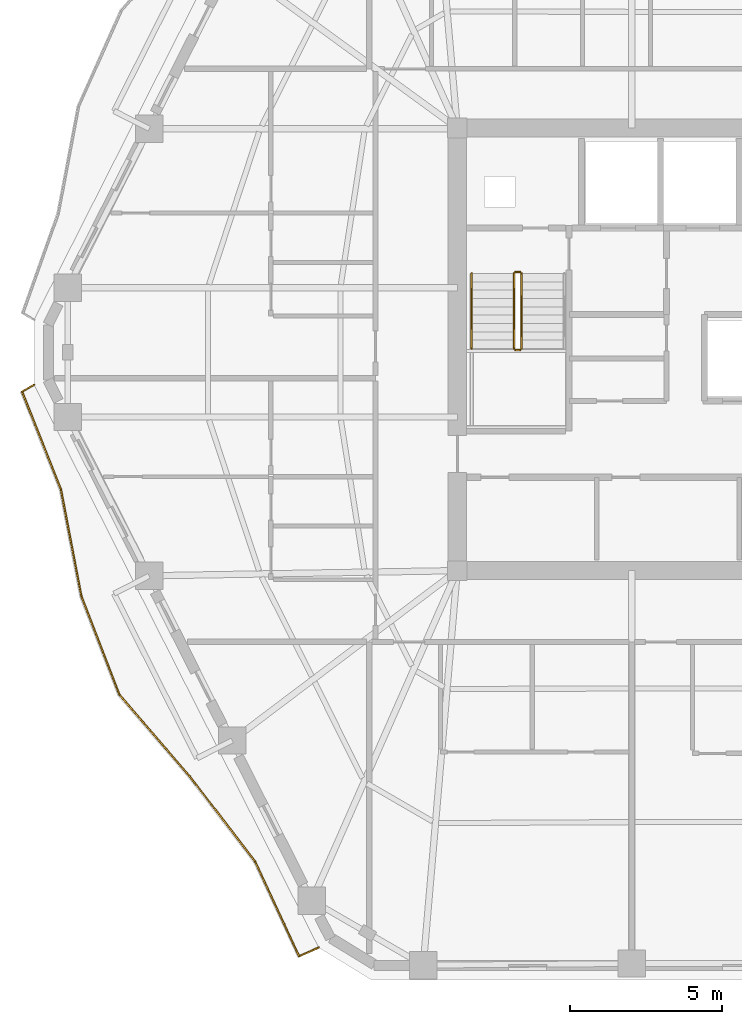
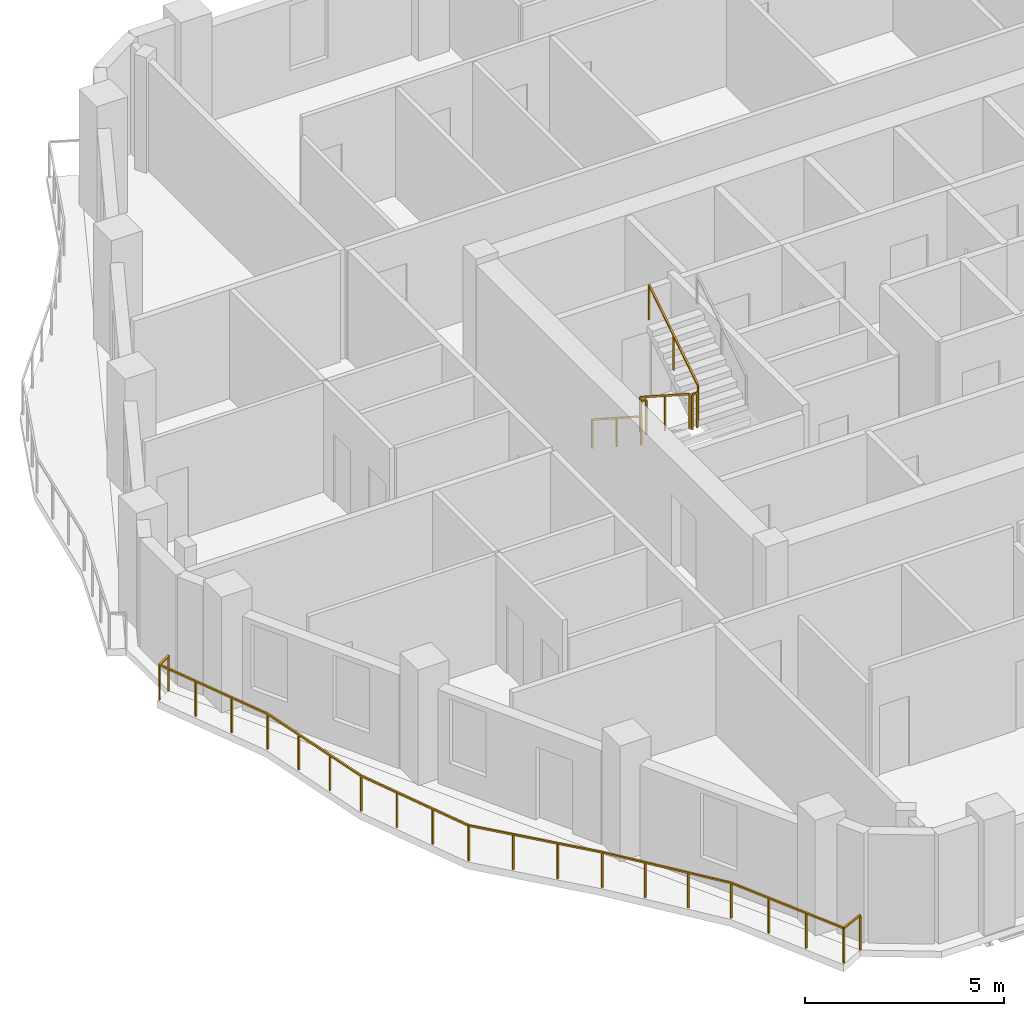
# One storey, part 9 of 12: 6 railings.
"""IFC4 building model written with IfcOpenShell, lengths in metres."""

from ifc_helpers import new_model, si_unit, direction, frame, origin, origin_2d, place, context, subcontext, project, spatial, rectangle, extrude, material, type_object, element, save


model = new_model("IFC4")

# Units and contexts
model_context = context("Model", 3, precision=1e-05, world=origin(), true_north=direction((0.0, 1.0)))
body_context = subcontext(model_context, "Body", "Model", "MODEL_VIEW")
ifc_project = project(units=[si_unit("LENGTHUNIT", "METRE"), si_unit("AREAUNIT", "SQUARE_METRE"), si_unit("VOLUMEUNIT", "CUBIC_METRE"), si_unit("PLANEANGLEUNIT", "RADIAN"), si_unit("MASSUNIT", "GRAM", prefix="KILO")], contexts=[model_context])

# Site, building, storey
site_placement = place(None, origin())
site = spatial("IfcSite", under=ifc_project, at=site_placement, CompositionType="ELEMENT")
building_placement = place(site_placement, origin())
building = spatial("IfcBuilding", under=site, at=building_placement, Name="Cinnabar Lancet Tower", CompositionType="ELEMENT")
storey_placement = place(building_placement, frame((0.0, 0.0, 189.64990234375)))
storey = spatial("IfcBuildingStorey", under=building, at=storey_placement, Name="L50", CompositionType="ELEMENT", Elevation=189.64990234375)

# Railings
ifc_material_1 = material(Name="Laminated safety glass and bronze stainless steel balustrade", Category="steel")
railing_type_1 = type_object("IfcRailingType", Name="ENV-RLG-BAL-1100", PredefinedType="BALUSTRADE", material=ifc_material_1)
railing_1_placement = place(storey_placement, frame((9.14208984375, 24.72900390625, 0.0)))
element("IfcRailing", 1, at=railing_1_placement, inside=storey, type_object=railing_type_1, Name="L50 Face 6 Wave Balcony Balustrade", PredefinedType="BALUSTRADE", context=body_context, shape_type="SweptSolid", body=[
    extrude(rectangle(XDim=0.048095703125, YDim=0.048095703125, at=origin_2d()), frame((0.0, 0.0, 1.076171875), z_axis=(-0.86256865975, -0.50594002334, 0.0), x_axis=(0.50594002334, -0.86256865975, 0.0)), (0.0, 0.0, 1.0), 0.45458984375),
    extrude(rectangle(XDim=0.048095703125, YDim=0.048095703125, at=origin_2d()), frame((-0.39208984375, -0.22998046875, 1.076171875), z_axis=(0.368805969515, -0.929506404954, 0.0), x_axis=(0.929506404954, 0.368805969515, 0.0)), (0.0, 0.0, 1.0), 3.470703125),
    extrude(rectangle(XDim=0.048095703125, YDim=0.048095703125, at=origin_2d()), frame((0.887939453125, -3.4560546875, 1.076171875), z_axis=(0.188613108785, -0.982051472783, 0.0), x_axis=(0.982051472783, 0.188613108785, 0.0)), (0.0, 0.0, 1.0), 3.594482421875),
    extrude(rectangle(XDim=0.048095703125, YDim=0.048095703125, at=origin_2d()), frame((1.56591796875, -6.986083984375, 1.076171875), z_axis=(0.36111244961, -0.932522277877, 0.0), x_axis=(0.932522277877, 0.36111244961, 0.0)), (0.0, 0.0, 1.0), 3.472412109375),
    extrude(rectangle(XDim=0.048095703125, YDim=0.048095703125, at=origin_2d()), frame((2.81982421875, -10.22412109375, 1.076171875), z_axis=(0.652647849338, -0.757661391886, 0.0), x_axis=(0.757661391886, 0.652647849338, 0.0)), (0.0, 0.0, 1.0), 3.559326171875),
    extrude(rectangle(XDim=0.048095703125, YDim=0.048095703125, at=origin_2d()), frame((5.142822265625, -12.9208984375, 1.076171875), z_axis=(0.608804561, -0.793320242087, 0.0), x_axis=(0.793320242087, 0.608804561, 0.0)), (0.0, 0.0, 1.0), 3.516845703125),
    extrude(rectangle(XDim=0.048095703125, YDim=0.048095703125, at=origin_2d()), frame((7.283935546875, -15.7109375, 1.076171875), z_axis=(0.422054583088, -0.906570421365, 0.0), x_axis=(0.906570421365, 0.422054583088, 0.0)), (0.0, 0.0, 1.0), 3.459228515625),
    extrude(rectangle(XDim=0.048095703125, YDim=0.048095703125, at=origin_2d()), frame((8.743896484375, -18.846923828125, 1.076171875), z_axis=(0.912451439143, 0.409185008531, 0.0), x_axis=(-0.409185008531, 0.912451439143, 0.0)), (0.0, 0.0, 1.0), 0.705810546875),
    extrude(rectangle(XDim=0.0419921875, YDim=0.0419921875, at=origin_2d()), origin(), (0.0, 0.0, 1.0), 1.052001953125),
    extrude(rectangle(XDim=0.0419921875, YDim=0.0419921875, at=origin_2d()), frame((-0.39208984375, -0.22998046875, 0.0)), (0.0, 0.0, 1.0), 1.052001953125),
    extrude(rectangle(XDim=0.0419921875, YDim=0.0419921875, at=origin_2d()), frame((0.03466796875, -1.305419921875, 0.0)), (0.0, 0.0, 1.0), 1.052001953125),
    extrude(rectangle(XDim=0.0419921875, YDim=0.0419921875, at=origin_2d()), frame((0.461181640625, -2.380615234375, 0.0)), (0.0, 0.0, 1.0), 1.052001953125),
    extrude(rectangle(XDim=0.0419921875, YDim=0.0419921875, at=origin_2d()), frame((0.887939453125, -3.4560546875, 0.0)), (0.0, 0.0, 1.0), 1.052001953125),
    extrude(rectangle(XDim=0.0419921875, YDim=0.0419921875, at=origin_2d()), frame((1.114013671875, -4.6328125, 0.0)), (0.0, 0.0, 1.0), 1.052001953125),
    extrude(rectangle(XDim=0.0419921875, YDim=0.0419921875, at=origin_2d()), frame((1.33984375, -5.809326171875, 0.0)), (0.0, 0.0, 1.0), 1.052001953125),
    extrude(rectangle(XDim=0.0419921875, YDim=0.0419921875, at=origin_2d()), frame((1.56591796875, -6.986083984375, 0.0)), (0.0, 0.0, 1.0), 1.052001953125),
    extrude(rectangle(XDim=0.0419921875, YDim=0.0419921875, at=origin_2d()), frame((1.98388671875, -8.0654296875, 0.0)), (0.0, 0.0, 1.0), 1.052001953125),
    extrude(rectangle(XDim=0.0419921875, YDim=0.0419921875, at=origin_2d()), frame((2.40185546875, -9.144775390625, 0.0)), (0.0, 0.0, 1.0), 1.052001953125),
    extrude(rectangle(XDim=0.0419921875, YDim=0.0419921875, at=origin_2d()), frame((2.81982421875, -10.22412109375, 0.0)), (0.0, 0.0, 1.0), 1.052001953125),
    extrude(rectangle(XDim=0.0419921875, YDim=0.0419921875, at=origin_2d()), frame((3.59423828125, -11.123046875, 0.0)), (0.0, 0.0, 1.0), 1.052001953125),
    extrude(rectangle(XDim=0.0419921875, YDim=0.0419921875, at=origin_2d()), frame((4.368408203125, -12.02197265625, 0.0)), (0.0, 0.0, 1.0), 1.052001953125),
    extrude(rectangle(XDim=0.0419921875, YDim=0.0419921875, at=origin_2d()), frame((5.142822265625, -12.9208984375, 0.0)), (0.0, 0.0, 1.0), 1.052001953125),
    extrude(rectangle(XDim=0.0419921875, YDim=0.0419921875, at=origin_2d()), frame((5.8564453125, -13.850830078125, 0.0)), (0.0, 0.0, 1.0), 1.052001953125),
    extrude(rectangle(XDim=0.0419921875, YDim=0.0419921875, at=origin_2d()), frame((6.5703125, -14.781005859375, 0.0)), (0.0, 0.0, 1.0), 1.052001953125),
    extrude(rectangle(XDim=0.0419921875, YDim=0.0419921875, at=origin_2d()), frame((7.283935546875, -15.7109375, 0.0)), (0.0, 0.0, 1.0), 1.052001953125),
    extrude(rectangle(XDim=0.0419921875, YDim=0.0419921875, at=origin_2d()), frame((7.7705078125, -16.75634765625, 0.0)), (0.0, 0.0, 1.0), 1.052001953125),
    extrude(rectangle(XDim=0.0419921875, YDim=0.0419921875, at=origin_2d()), frame((8.25732421875, -17.801513671875, 0.0)), (0.0, 0.0, 1.0), 1.052001953125),
    extrude(rectangle(XDim=0.0419921875, YDim=0.0419921875, at=origin_2d()), frame((8.743896484375, -18.846923828125, 0.0)), (0.0, 0.0, 1.0), 1.052001953125),
    extrude(rectangle(XDim=0.0419921875, YDim=0.0419921875, at=origin_2d()), frame((9.387939453125, -18.55810546875, 0.0)), (0.0, 0.0, 1.0), 1.052001953125),
])
ifc_material_2 = material(Name="Painted galvanized steel balustrade", Category="steel")
railing_type_2 = type_object("IfcRailingType", Name="GUARD-STAIR", PredefinedType="GUARDRAIL", material=ifc_material_2)
railing_2_placement = place(storey_placement, frame((24.97509765625, 28.39990234375, 0.177490234375)))
element("IfcRailing", 2, at=railing_2_placement, inside=storey, type_object=railing_type_2, Name="L50 ST-1 stair guard 1", PredefinedType="GUARDRAIL", context=body_context, shape_type="SweptSolid", body=[
    extrude(rectangle(XDim=0.048095703125, YDim=0.048095703125, at=origin_2d()), frame((0.0, 0.0, 1.076171875), z_axis=(0.0, -0.84014559416, 0.542360932049), x_axis=(1.0, 0.0, 0.0)), (0.0, 0.0, 1.0), 2.94580078125),
    extrude(rectangle(XDim=0.0419921875, YDim=0.0419921875, at=origin_2d()), origin(), (0.0, 0.0, 1.0), 1.052001953125),
    extrude(rectangle(XDim=0.0419921875, YDim=0.0419921875, at=origin_2d()), frame((0.0, -1.2373046875, 0.798828125)), (0.0, 0.0, 1.0), 1.052001953125),
    extrude(rectangle(XDim=0.0419921875, YDim=0.0419921875, at=origin_2d()), frame((0.0, -2.474853515625, 1.59765625)), (0.0, 0.0, 1.0), 1.052001953125),
])
railing_3_placement = place(storey_placement, frame((25.02490234375, 25.875, 1.775146484375)))
element("IfcRailing", 3, at=railing_3_placement, inside=storey, type_object=railing_type_2, Name="L50 ST-1 stair guard 2", PredefinedType="GUARDRAIL", context=body_context, shape_type="SweptSolid", body=[
    extrude(rectangle(XDim=0.048095703125, YDim=0.048095703125, at=origin_2d()), frame((0.0, 0.0, 1.076171875), z_axis=(1.0, 0.0, 0.0), x_axis=(0.0, 1.0, 0.0)), (0.0, 0.0, 1.0), 0.150146484375),
    extrude(rectangle(XDim=0.0419921875, YDim=0.0419921875, at=origin_2d()), origin(), (0.0, 0.0, 1.0), 1.052001953125),
    extrude(rectangle(XDim=0.0419921875, YDim=0.0419921875, at=origin_2d()), frame((0.150146484375, 0.0, 0.0)), (0.0, 0.0, 1.0), 1.052001953125),
])
railing_4_placement = place(storey_placement, frame((25.22509765625, 25.925048828125, 1.95263671875)))
element("IfcRailing", 4, at=railing_4_placement, inside=storey, type_object=railing_type_2, Name="L50 ST-1 stair guard 3", PredefinedType="GUARDRAIL", context=body_context, shape_type="SweptSolid", body=[
    extrude(rectangle(XDim=0.048095703125, YDim=0.048095703125, at=origin_2d()), frame((0.0, 0.0, 1.076171875), z_axis=(0.0, 0.840183358697, 0.542302428327), x_axis=(-1.0, 0.0, 0.0)), (0.0, 0.0, 1.0), 2.945556640625),
    extrude(rectangle(XDim=0.0419921875, YDim=0.0419921875, at=origin_2d()), origin(), (0.0, 0.0, 1.0), 1.052001953125),
    extrude(rectangle(XDim=0.0419921875, YDim=0.0419921875, at=origin_2d()), frame((0.0, 1.2373046875, 0.798828125)), (0.0, 0.0, 1.0), 1.052001953125),
    extrude(rectangle(XDim=0.0419921875, YDim=0.0419921875, at=origin_2d()), frame((0.0, 2.474853515625, 1.597412109375)), (0.0, 0.0, 1.0), 1.052001953125),
])
railing_5_placement = place(storey_placement, frame((25.02490234375, 28.449951171875, 0.0)))
element("IfcRailing", 5, at=railing_5_placement, inside=storey, type_object=railing_type_2, Name="L50 ST-1 stair guard 4", PredefinedType="GUARDRAIL", context=body_context, shape_type="SweptSolid", body=[
    extrude(rectangle(XDim=0.048095703125, YDim=0.048095703125, at=origin_2d()), frame((0.0, 0.0, 1.076171875), z_axis=(1.0, 0.0, 0.0), x_axis=(0.0, 1.0, 0.0)), (0.0, 0.0, 1.0), 0.150146484375),
    extrude(rectangle(XDim=0.0419921875, YDim=0.0419921875, at=origin_2d()), origin(), (0.0, 0.0, 1.0), 1.052001953125),
    extrude(rectangle(XDim=0.0419921875, YDim=0.0419921875, at=origin_2d()), frame((0.150146484375, 0.0, 0.0)), (0.0, 0.0, 1.0), 1.052001953125),
])
ifc_material_3 = material(Name="Brushed stainless steel handrail", Category="steel")
railing_type_3 = type_object("IfcRailingType", Name="HANDRAIL-STAIR", PredefinedType="HANDRAIL", material=ifc_material_3)
railing_6_placement = place(storey_placement, frame((23.574951171875, 28.39990234375, 0.177490234375)))
element("IfcRailing", 6, at=railing_6_placement, inside=storey, type_object=railing_type_3, Name="L50 ST-1 stair handrail 1", PredefinedType="HANDRAIL", context=body_context, shape_type="SweptSolid", body=[
    extrude(rectangle(XDim=0.048095703125, YDim=0.048095703125, at=origin_2d()), frame((0.0, 0.0, 0.8759765625), z_axis=(0.0, -0.84014559416, 0.542360932049), x_axis=(1.0, 0.0, 0.0)), (0.0, 0.0, 1.0), 2.94580078125),
    extrude(rectangle(XDim=0.0419921875, YDim=0.0419921875, at=origin_2d()), origin(), (0.0, 0.0, 1.0), 0.851806640625),
    extrude(rectangle(XDim=0.0419921875, YDim=0.0419921875, at=origin_2d()), frame((0.0, -1.2373046875, 0.798828125)), (0.0, 0.0, 1.0), 0.851806640625),
    extrude(rectangle(XDim=0.0419921875, YDim=0.0419921875, at=origin_2d()), frame((0.0, -2.474853515625, 1.59765625)), (0.0, 0.0, 1.0), 0.851806640625),
])

save(model, "model.ifc")
